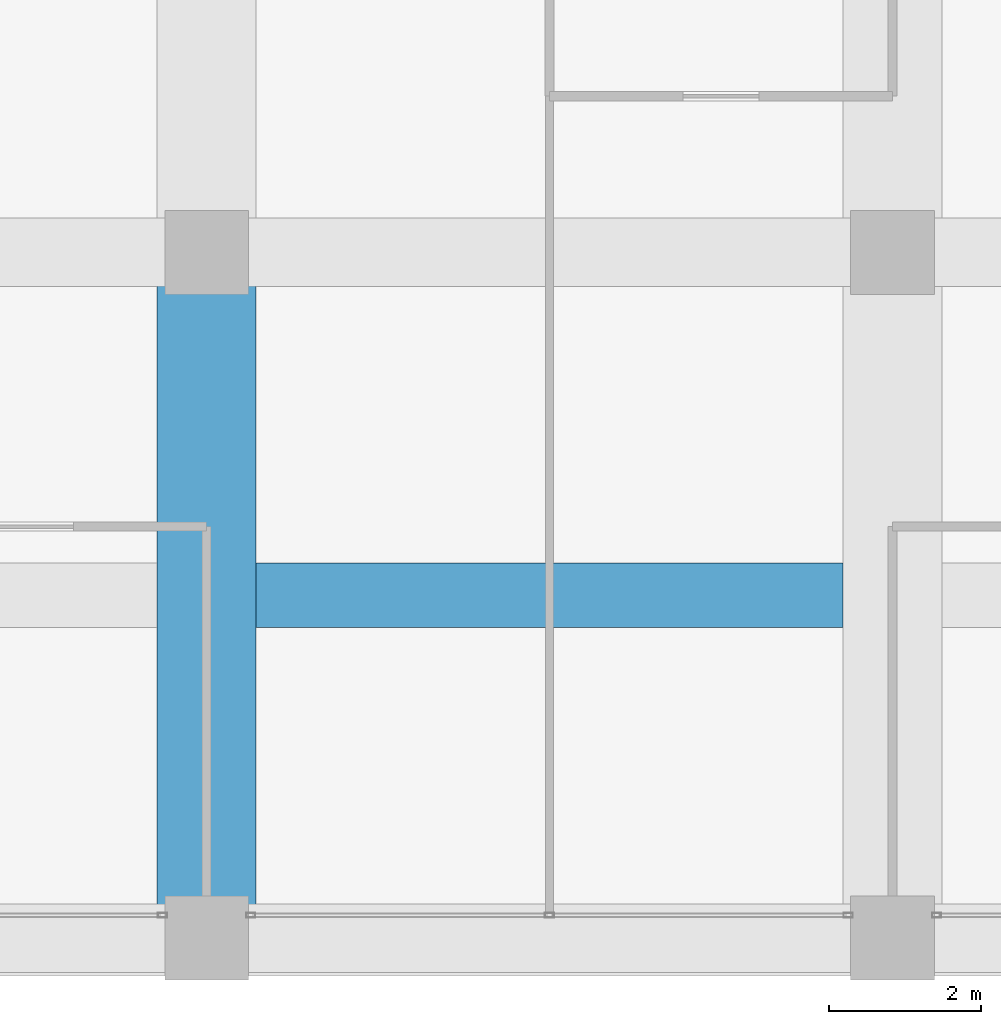
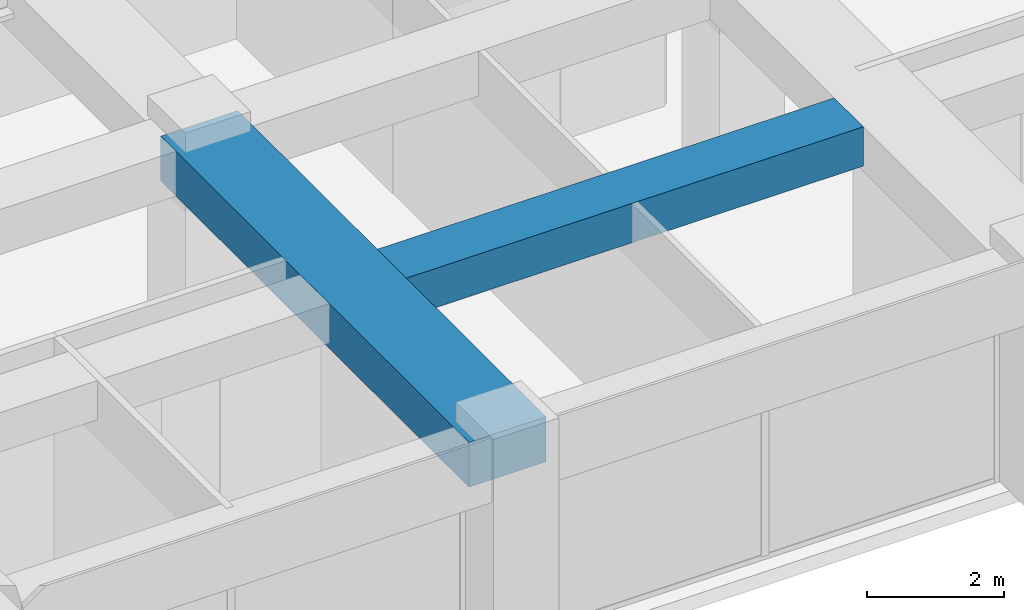
# One storey, part 10 of 44: 2 beams.
"""IFC4 building model written with IfcOpenShell, lengths in metres."""

from ifc_helpers import new_model, si_unit, direction, frame, origin, origin_2d, place, context, subcontext, project, spatial, rectangle, extrude, material, material_profile, profile_set, type_object, element, save


model = new_model("IFC4")

# Units and contexts
model_context = context("Model", 3, precision=1e-05, world=origin(), true_north=direction((0.0, 1.0)))
body_context = subcontext(model_context, "Body", "Model", "MODEL_VIEW")
ifc_project = project(units=[si_unit("LENGTHUNIT", "METRE"), si_unit("AREAUNIT", "SQUARE_METRE"), si_unit("VOLUMEUNIT", "CUBIC_METRE"), si_unit("PLANEANGLEUNIT", "RADIAN"), si_unit("MASSUNIT", "GRAM", prefix="KILO")], contexts=[model_context])

# Site, building, storey
site_placement = place(None, origin())
site = spatial("IfcSite", under=ifc_project, at=site_placement, CompositionType="ELEMENT")
building_placement = place(site_placement, origin())
building = spatial("IfcBuilding", under=site, at=building_placement, Name="Zorevar Civic Tower", CompositionType="ELEMENT")
storey_placement = place(building_placement, frame((0.0, 0.0, 307.39990234375)))
storey = spatial("IfcBuildingStorey", under=building, at=storey_placement, Name="L75", CompositionType="ELEMENT", Elevation=307.39990234375)

# Beams
ifc_material_1 = material(Name="Concrete C50/60", Category="concrete")
ifc_material_profile_1 = material_profile(ifc_material_1, rectangle(XDim=1.300048828125, YDim=0.800048828125, at=origin_2d()), Name="RC 1300x800")
ifc_profile_set_1 = profile_set([ifc_material_profile_1], Name="Concrete C50/60")
beam_type_1 = type_object("IfcBeamType", Name="Beam RC 1300x800", PredefinedType="BEAM", material=ifc_profile_set_1)
beam_1_placement = place(storey_placement, frame((27.0, 0.0, 3.650146484375), z_axis=(0.0, 1.0, 0.0), x_axis=(-1.0, 0.0, 0.0)))
element("IfcBeam", 1, at=beam_1_placement, inside=storey, type_object=beam_type_1, Name="Girder RF", PredefinedType="BEAM", context=body_context, shape_type="SweptSolid", body=[
    extrude(rectangle(XDim=1.300048828125, YDim=0.800048828125, at=origin_2d()), origin(), (0.0, 0.0, 1.0), 9.0),
])
ifc_material_2 = material(Name="Concrete C50/60", Category="concrete")
ifc_material_profile_2 = material_profile(ifc_material_2, rectangle(XDim=0.85009765625, YDim=0.699951171875, at=origin_2d()), Name="RC 850x700")
ifc_profile_set_2 = profile_set([ifc_material_profile_2], Name="Concrete C50/60")
beam_type_2 = type_object("IfcBeamType", Name="Beam RC 850x700", PredefinedType="BEAM", material=ifc_profile_set_2)
beam_2_placement = place(storey_placement, frame((27.64990234375, 4.5, 3.7001953125), z_axis=(1.0, 0.0, 0.0), x_axis=(0.0, 1.0, 0.0)))
element("IfcBeam", 2, at=beam_2_placement, inside=storey, type_object=beam_type_2, Name="Secondary beam RF", PredefinedType="BEAM", context=body_context, shape_type="SweptSolid", body=[
    extrude(rectangle(XDim=0.85009765625, YDim=0.699951171875, at=origin_2d()), origin(), (0.0, 0.0, 1.0), 7.7001953125),
])

save(model, "model.ifc")
